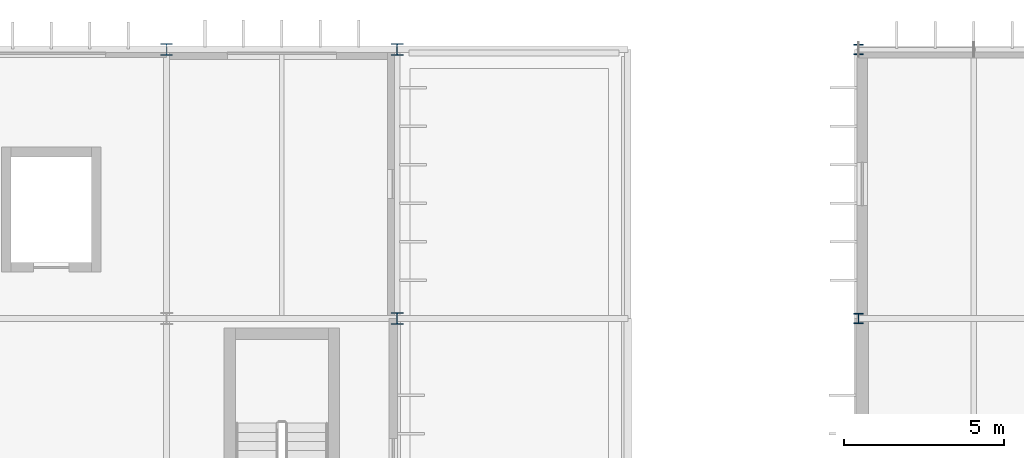
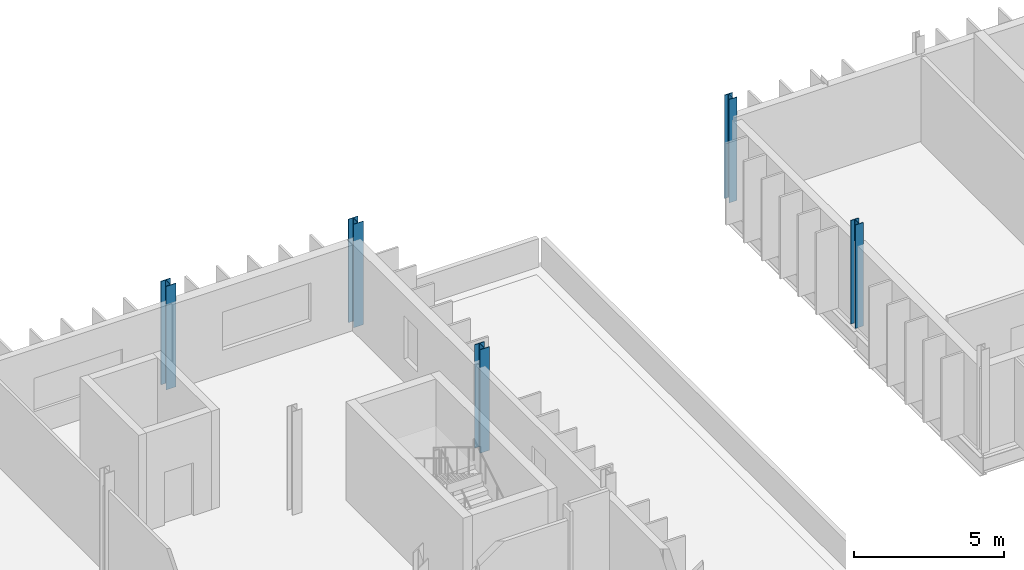
# One storey, part 9 of 99: 5 columns.
"""IFC4 building model written with IfcOpenShell, lengths in metres."""

from ifc_helpers import new_model, si_unit, direction, frame, origin, origin_2d, place, context, subcontext, project, spatial, i_section, extrude, material, material_profile, profile_set, type_object, element, save


model = new_model("IFC4")

# Units and contexts
model_context = context("Model", 3, precision=1e-05, world=origin(), true_north=direction((0.0, 1.0)))
body_context = subcontext(model_context, "Body", "Model", "MODEL_VIEW")
ifc_project = project(units=[si_unit("LENGTHUNIT", "METRE"), si_unit("AREAUNIT", "SQUARE_METRE"), si_unit("VOLUMEUNIT", "CUBIC_METRE"), si_unit("PLANEANGLEUNIT", "RADIAN"), si_unit("MASSUNIT", "GRAM", prefix="KILO")], contexts=[model_context])

# Site, building, storey
site_placement = place(None, origin())
site = spatial("IfcSite", under=ifc_project, at=site_placement, CompositionType="ELEMENT")
building_placement = place(site_placement, origin())
building = spatial("IfcBuilding", under=site, at=building_placement, Name="Qelthora Terrace Specialist Clinic", CompositionType="ELEMENT")
storey_placement = place(building_placement, frame((0.0, 0.0, 9.0)))
storey = spatial("IfcBuildingStorey", under=building, at=storey_placement, Name="L02", CompositionType="ELEMENT", Elevation=9.0)

# Columns
ifc_material = material(Name="Steel S355", Category="steel")
ifc_material_profile_1 = material_profile(ifc_material, i_section(OverallWidth=0.30810546875, OverallDepth=0.318115234375, WebThickness=0.01318359375, FlangeThickness=0.0205078125, FilletRadius=0.01611328125, at=origin_2d()), Name="W310X129")
ifc_profile_set_1 = profile_set([ifc_material_profile_1], Name="Steel S355")
column_type_1 = type_object("IfcColumnType", Name="COL-W310X129", PredefinedType="COLUMN", material=ifc_profile_set_1)
column_1_placement = place(storey_placement, frame((57.60009765625, 109.199951171875, 0.0), z_axis=(0.0, 0.0, 1.0), x_axis=(1.0, 0.0, 0.0)))
element("IfcColumn", 1, at=column_1_placement, inside=storey, type_object=column_type_1, Name="Column L02-113", PredefinedType="COLUMN", context=body_context, shape_type="SweptSolid", body=[
    extrude(i_section(OverallWidth=0.30810546875, OverallDepth=0.318115234375, WebThickness=0.01318359375, FlangeThickness=0.0205078125, FilletRadius=0.01611328125, at=origin_2d()), origin(), (0.0, 0.0, 1.0), 4.199951171875),
])
ifc_material_profile_2 = material_profile(ifc_material, i_section(OverallWidth=0.30908203125, OverallDepth=0.322998046875, WebThickness=0.013916015625, FlangeThickness=0.02294921875, FilletRadius=0.01611328125, at=origin_2d()), Name="W310X143")
ifc_profile_set_2 = profile_set([ifc_material_profile_2], Name="Steel S355")
column_type_2 = type_object("IfcColumnType", Name="COL-W310X143", PredefinedType="COLUMN", material=ifc_profile_set_2)
column_2_placement = place(storey_placement, frame((57.60009765625, 100.800048828125, 0.0), z_axis=(0.0, 0.0, 1.0), x_axis=(1.0, 0.0, 0.0)))
element("IfcColumn", 2, at=column_2_placement, inside=storey, type_object=column_type_2, Name="Column L02-112", PredefinedType="COLUMN", context=body_context, shape_type="SweptSolid", body=[
    extrude(i_section(OverallWidth=0.30908203125, OverallDepth=0.322998046875, WebThickness=0.013916015625, FlangeThickness=0.02294921875, FilletRadius=0.01611328125, at=origin_2d()), origin(), (0.0, 0.0, 1.0), 4.199951171875),
])
ifc_material_profile_3 = material_profile(ifc_material, i_section(OverallWidth=0.37109375, OverallDepth=0.364013671875, WebThickness=0.01318359375, FlangeThickness=0.021728515625, FilletRadius=0.02001953125, at=origin_2d()), Name="W360X162")
ifc_profile_set_3 = profile_set([ifc_material_profile_3], Name="Steel S355")
column_type_3 = type_object("IfcColumnType", Name="COL-W360X162", PredefinedType="COLUMN", material=ifc_profile_set_3)
column_3_placement = place(storey_placement, frame((43.199951171875, 109.199951171875, 0.0), z_axis=(0.0, 0.0, 1.0), x_axis=(1.0, 0.0, 0.0)))
element("IfcColumn", 3, at=column_3_placement, inside=storey, type_object=column_type_3, Name="Column L02-092", PredefinedType="COLUMN", context=body_context, shape_type="SweptSolid", body=[
    extrude(i_section(OverallWidth=0.37109375, OverallDepth=0.364013671875, WebThickness=0.01318359375, FlangeThickness=0.021728515625, FilletRadius=0.02001953125, at=origin_2d()), origin(), (0.0, 0.0, 1.0), 4.199951171875),
])
ifc_material_profile_4 = material_profile(ifc_material, i_section(OverallWidth=0.373046875, OverallDepth=0.367919921875, WebThickness=0.014892578125, FlangeThickness=0.02392578125, FilletRadius=0.02001953125, at=origin_2d()), Name="W360X179")
ifc_profile_set_4 = profile_set([ifc_material_profile_4], Name="Steel S355")
column_type_4 = type_object("IfcColumnType", Name="COL-W360X179", PredefinedType="COLUMN", material=ifc_profile_set_4)
column_4_placement = place(storey_placement, frame((43.199951171875, 100.800048828125, 0.0), z_axis=(0.0, 0.0, 1.0), x_axis=(1.0, 0.0, 0.0)))
element("IfcColumn", 4, at=column_4_placement, inside=storey, type_object=column_type_4, Name="Column L02-091", PredefinedType="COLUMN", context=body_context, shape_type="SweptSolid", body=[
    extrude(i_section(OverallWidth=0.373046875, OverallDepth=0.367919921875, WebThickness=0.014892578125, FlangeThickness=0.02392578125, FilletRadius=0.02001953125, at=origin_2d()), origin(), (0.0, 0.0, 1.0), 4.199951171875),
])
ifc_material_profile_5 = material_profile(ifc_material, i_section(OverallWidth=0.3740234375, OverallDepth=0.3720703125, WebThickness=0.016357421875, FlangeThickness=0.026123046875, FilletRadius=0.02001953125, at=origin_2d()), Name="W360X196")
ifc_profile_set_5 = profile_set([ifc_material_profile_5], Name="Steel S355")
column_type_5 = type_object("IfcColumnType", Name="COL-W360X196", PredefinedType="COLUMN", material=ifc_profile_set_5)
column_5_placement = place(storey_placement, frame((36.0, 109.199951171875, 0.0), z_axis=(0.0, 0.0, 1.0), x_axis=(1.0, 0.0, 0.0)))
element("IfcColumn", 5, at=column_5_placement, inside=storey, type_object=column_type_5, Name="Column L02-078", PredefinedType="COLUMN", context=body_context, shape_type="SweptSolid", body=[
    extrude(i_section(OverallWidth=0.3740234375, OverallDepth=0.3720703125, WebThickness=0.016357421875, FlangeThickness=0.026123046875, FilletRadius=0.02001953125, at=origin_2d()), origin(), (0.0, 0.0, 1.0), 4.199951171875),
])

save(model, "model.ifc")
